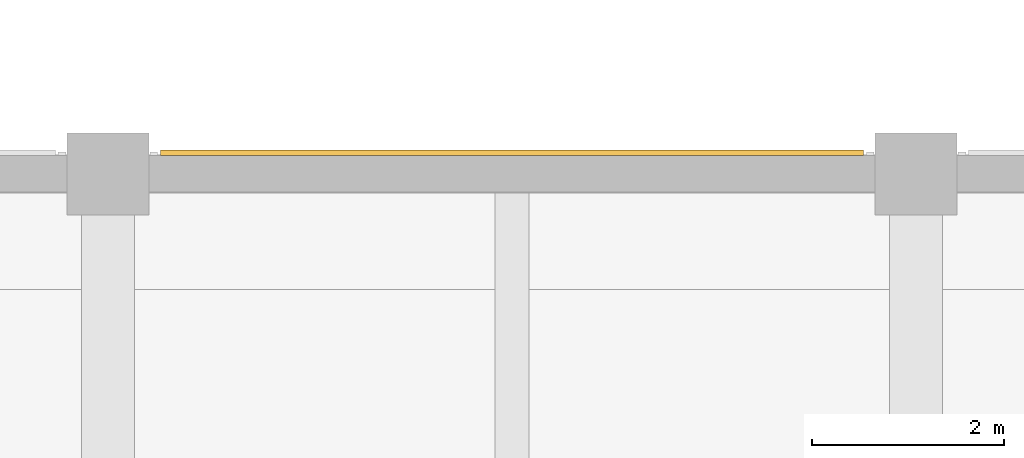
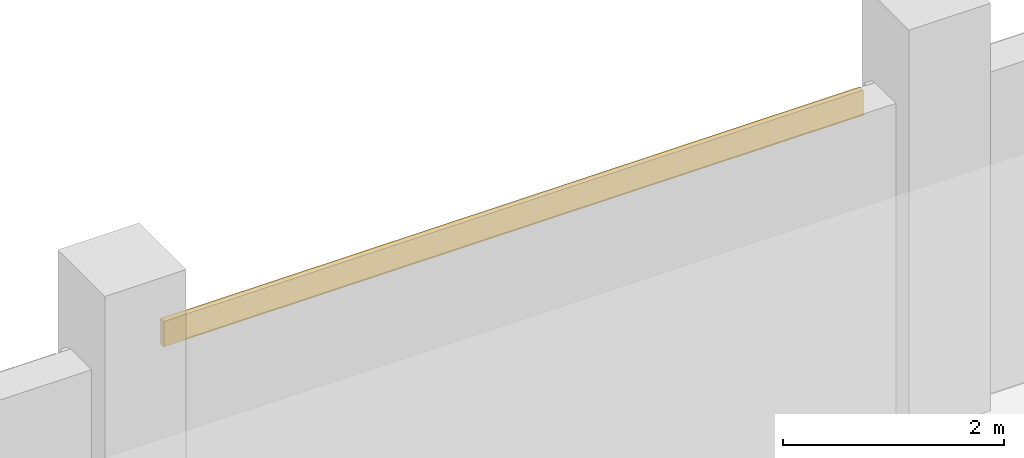
# One storey, part 35 of 39: 1 covering.
"""IFC4 building model written with IfcOpenShell, lengths in metres."""

from ifc_helpers import new_model, si_unit, direction, frame, origin, origin_2d, place, context, subcontext, project, spatial, rectangle, extrude, material, layer, layer_set, type_object, element, save


model = new_model("IFC4")

# Units and contexts
model_context = context("Model", 3, precision=1e-05, world=origin(), true_north=direction((0.0, 1.0)))
body_context = subcontext(model_context, "Body", "Model", "MODEL_VIEW")
ifc_project = project(units=[si_unit("LENGTHUNIT", "METRE"), si_unit("AREAUNIT", "SQUARE_METRE"), si_unit("VOLUMEUNIT", "CUBIC_METRE"), si_unit("PLANEANGLEUNIT", "RADIAN"), si_unit("MASSUNIT", "GRAM", prefix="KILO")], contexts=[model_context])

# Site, building, storey
site_placement = place(None, origin())
site = spatial("IfcSite", under=ifc_project, at=site_placement, CompositionType="ELEMENT")
building_placement = place(site_placement, origin())
building = spatial("IfcBuilding", under=site, at=building_placement, Name="Telukmera Botanical Conservatory", CompositionType="ELEMENT")
storey_placement = place(building_placement, frame((0.0, 0.0, 19.5)))
storey = spatial("IfcBuildingStorey", under=building, at=storey_placement, Name="L04", CompositionType="ELEMENT", Elevation=19.5)

# Covering
ifc_material = material(Name="Terracotta-faced precast concrete C40/50", Category="masonry")
ifc_layer = layer(ifc_material, 0.06005859375)
ifc_layer_set = layer_set([ifc_layer], Name="Terracotta-faced precast concrete C40/50")
covering_type = type_object("IfcCoveringType", Name="Polychrome Terracotta Facade Band Cladding", PredefinedType="CLADDING", material=ifc_layer_set)
covering_placement = place(storey_placement, frame((88.199951171875, 43.02001953125, 3.22998046875), z_axis=(0.0, 0.0, 1.0), x_axis=(1.0, 0.0, 0.0)))
element("IfcCovering", 1, at=covering_placement, inside=storey, type_object=covering_type, Name="Polychrome Terracotta Band V4:L04:N5", PredefinedType="CLADDING", context=body_context, shape_type="SweptSolid", body=[
    extrude(rectangle(XDim=7.305908203125, YDim=0.06005859375, at=origin_2d()), origin(), (0.0, 0.0, 1.0), 0.280029296875),
])

save(model, "model.ifc")
